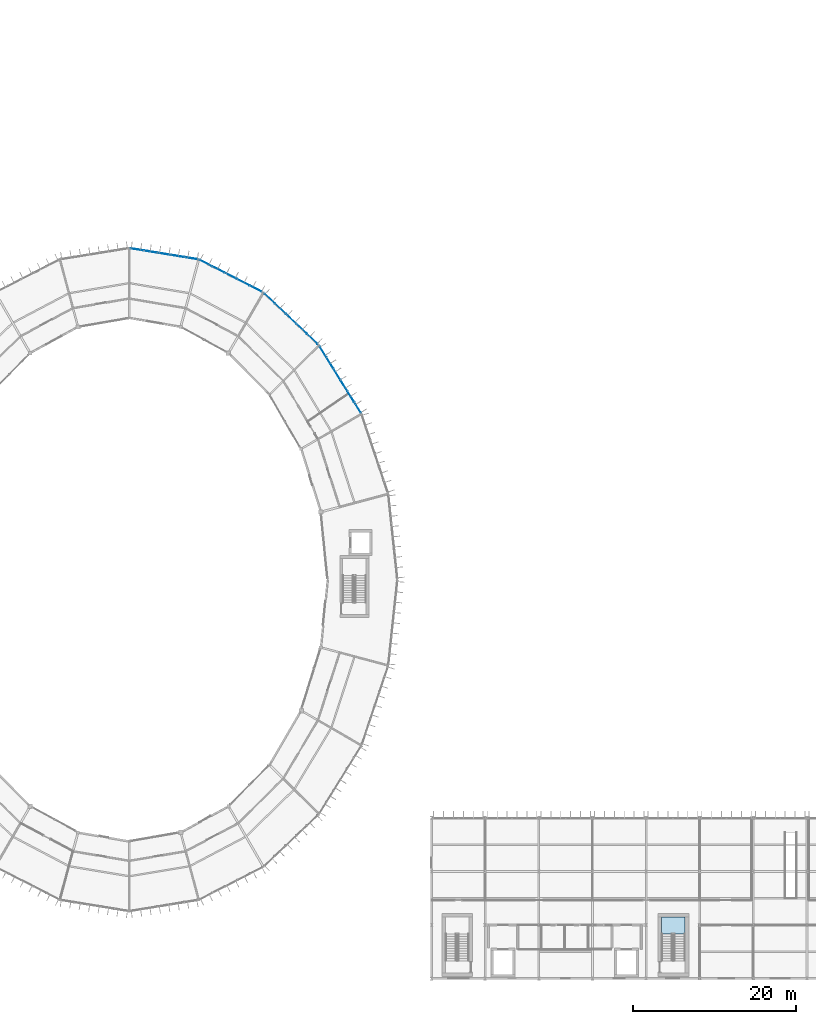
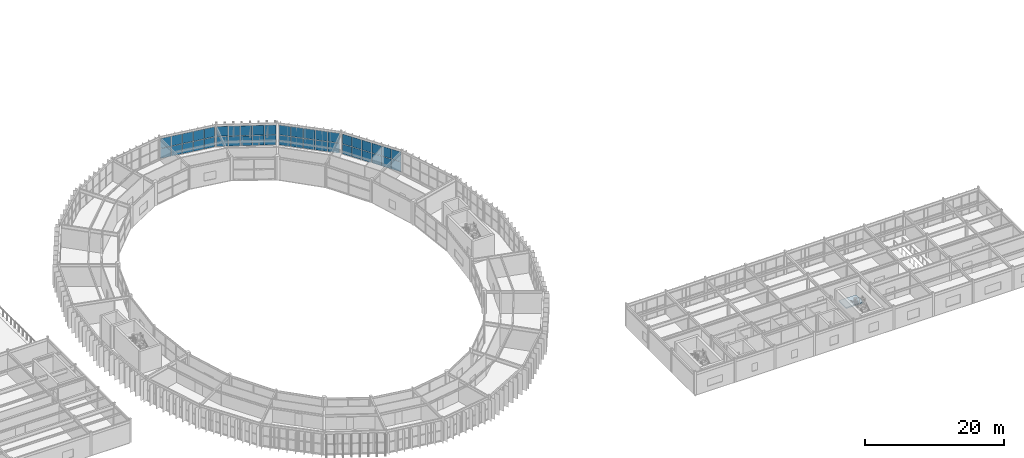
# One storey, part 95 of 130: 42 plates, 1 slab, 5 elements without a shape of their own.
"""IFC4 building model written with IfcOpenShell, lengths in metres."""

from ifc_helpers import new_model, si_unit, direction, frame, origin, origin_2d, place, context, subcontext, project, spatial, polyline, rectangle, outline, extrude, material, layer, layer_set, type_object, element, aggregate, save


model = new_model("IFC4")

# Units and contexts
model_context = context("Model", 3, precision=1e-05, world=origin(), true_north=direction((0.0, 1.0)))
body_context = subcontext(model_context, "Body", "Model", "MODEL_VIEW")
ifc_project = project(units=[si_unit("LENGTHUNIT", "METRE"), si_unit("AREAUNIT", "SQUARE_METRE"), si_unit("VOLUMEUNIT", "CUBIC_METRE"), si_unit("PLANEANGLEUNIT", "RADIAN"), si_unit("MASSUNIT", "GRAM", prefix="KILO")], contexts=[model_context])

# Site, building, storey
site_placement = place(None, origin())
site = spatial("IfcSite", under=ifc_project, at=site_placement, CompositionType="ELEMENT")
building_placement = place(site_placement, origin())
building = spatial("IfcBuilding", under=site, at=building_placement, Name="Karori Crest Natural Sciences Institute", CompositionType="ELEMENT")
storey_placement = place(building_placement, frame((0.0, 0.0, 17.5)))
storey = spatial("IfcBuildingStorey", under=building, at=storey_placement, Name="L04", CompositionType="ELEMENT", Elevation=17.5)

# Curtain wall, plates
ifc_material_1 = material(Name="Anodised architectural aluminium 6063-T6", Category="aluminium")
curtain_wall_type_1 = type_object("IfcCurtainWallType", Name="CWT-04", PredefinedType="NOTDEFINED", material=ifc_material_1)
curtain_wall_1_placement = place(storey_placement, origin())
curtain_wall_1 = element("IfcCurtainWall", 1, at=curtain_wall_1_placement, inside=storey, type_object=curtain_wall_type_1, Name="Curtain wall CW-0141", PredefinedType="NOTDEFINED")
ifc_material_2 = material(Name="Double low-E laminated glass", Category="glass")
ifc_layer_1 = layer(ifc_material_2, 0.02392578125, Name="Double low-E laminated glass")
ifc_layer_set_1 = layer_set([ifc_layer_1], Name="Double low-E laminated glass")
plate_type_1 = type_object("IfcPlateType", Name="CWP-01", PredefinedType="CURTAIN_PANEL", material=ifc_layer_set_1)
plate_1_placement = place(storey_placement, frame((83.695556640625, 84.47900390625, 0.06005859375), z_axis=(0.0, 0.0, 1.0), x_axis=(0.725471459192, -0.688252251648, 0.0)))
plate_1 = element("IfcPlate", 2, at=plate_1_placement, type_object=plate_type_1, Name="CW-0141 panel 1.1", PredefinedType="CURTAIN_PANEL", context=body_context, shape_type="SweptSolid", body=[
    extrude(rectangle(XDim=1.717041015625, YDim=0.02392578125, at=origin_2d()), origin(), (0.0, 0.0, 1.0), 1.722412109375),
])
plate_2_placement = place(storey_placement, frame((83.695556640625, 84.47900390625, 1.8427734375), z_axis=(0.0, 0.0, 1.0), x_axis=(0.725471459192, -0.688252251648, 0.0)))
plate_2 = element("IfcPlate", 3, at=plate_2_placement, type_object=plate_type_1, Name="CW-0141 panel 1.2", PredefinedType="CURTAIN_PANEL", context=body_context, shape_type="SweptSolid", body=[
    extrude(rectangle(XDim=1.717041015625, YDim=0.02392578125, at=origin_2d()), origin(), (0.0, 0.0, 1.0), 1.722412109375),
])
plate_3_placement = place(storey_placement, frame((85.000244140625, 83.2412109375, 0.06005859375), z_axis=(0.0, 0.0, 1.0), x_axis=(0.725471459192, -0.688252251648, 0.0)))
plate_3 = element("IfcPlate", 4, at=plate_3_placement, type_object=plate_type_1, Name="CW-0141 panel 2.1", PredefinedType="CURTAIN_PANEL", context=body_context, shape_type="SweptSolid", body=[
    extrude(rectangle(XDim=1.749755859375, YDim=0.02392578125, at=origin_2d()), origin(), (0.0, 0.0, 1.0), 1.722412109375),
])
plate_4_placement = place(storey_placement, frame((85.000244140625, 83.2412109375, 1.8427734375), z_axis=(0.0, 0.0, 1.0), x_axis=(0.725471459192, -0.688252251648, 0.0)))
plate_4 = element("IfcPlate", 5, at=plate_4_placement, type_object=plate_type_1, Name="CW-0141 panel 2.2", PredefinedType="CURTAIN_PANEL", context=body_context, shape_type="SweptSolid", body=[
    extrude(rectangle(XDim=1.749755859375, YDim=0.02392578125, at=origin_2d()), origin(), (0.0, 0.0, 1.0), 1.722412109375),
])
plate_5_placement = place(storey_placement, frame((86.31689453125, 81.992431640625, 0.06005859375), z_axis=(0.0, 0.0, 1.0), x_axis=(0.725471459192, -0.688252251648, 0.0)))
plate_5 = element("IfcPlate", 6, at=plate_5_placement, type_object=plate_type_1, Name="CW-0141 panel 3.1", PredefinedType="CURTAIN_PANEL", context=body_context, shape_type="SweptSolid", body=[
    extrude(rectangle(XDim=1.749755859375, YDim=0.02392578125, at=origin_2d()), origin(), (0.0, 0.0, 1.0), 1.722412109375),
])
plate_6_placement = place(storey_placement, frame((86.31689453125, 81.992431640625, 1.8427734375), z_axis=(0.0, 0.0, 1.0), x_axis=(0.725471459192, -0.688252251648, 0.0)))
plate_6 = element("IfcPlate", 7, at=plate_6_placement, type_object=plate_type_1, Name="CW-0141 panel 3.2", PredefinedType="CURTAIN_PANEL", context=body_context, shape_type="SweptSolid", body=[
    extrude(rectangle(XDim=1.749755859375, YDim=0.02392578125, at=origin_2d()), origin(), (0.0, 0.0, 1.0), 1.722412109375),
])
plate_7_placement = place(storey_placement, frame((87.63330078125, 80.743408203125, 0.06005859375), z_axis=(0.0, 0.0, 1.0), x_axis=(0.725471459192, -0.688252251648, 0.0)))
plate_7 = element("IfcPlate", 8, at=plate_7_placement, type_object=plate_type_1, Name="CW-0141 panel 4.1", PredefinedType="CURTAIN_PANEL", context=body_context, shape_type="SweptSolid", body=[
    extrude(rectangle(XDim=1.749755859375, YDim=0.02392578125, at=origin_2d()), origin(), (0.0, 0.0, 1.0), 1.722412109375),
])
plate_8_placement = place(storey_placement, frame((87.63330078125, 80.743408203125, 1.8427734375), z_axis=(0.0, 0.0, 1.0), x_axis=(0.725471459192, -0.688252251648, 0.0)))
plate_8 = element("IfcPlate", 9, at=plate_8_placement, type_object=plate_type_1, Name="CW-0141 panel 4.2", PredefinedType="CURTAIN_PANEL", context=body_context, shape_type="SweptSolid", body=[
    extrude(rectangle(XDim=1.749755859375, YDim=0.02392578125, at=origin_2d()), origin(), (0.0, 0.0, 1.0), 1.722412109375),
])
plate_9_placement = place(storey_placement, frame((88.93798828125, 79.505615234375, 0.06005859375), z_axis=(0.0, 0.0, 1.0), x_axis=(0.725471459192, -0.688252251648, 0.0)))
plate_9 = element("IfcPlate", 10, at=plate_9_placement, type_object=plate_type_1, Name="CW-0141 panel 5.1", PredefinedType="CURTAIN_PANEL", context=body_context, shape_type="SweptSolid", body=[
    extrude(rectangle(XDim=1.717041015625, YDim=0.02392578125, at=origin_2d()), origin(), (0.0, 0.0, 1.0), 1.722412109375),
])
plate_10_placement = place(storey_placement, frame((88.93798828125, 79.505615234375, 1.8427734375), z_axis=(0.0, 0.0, 1.0), x_axis=(0.725471459192, -0.688252251648, 0.0)))
plate_10 = element("IfcPlate", 11, at=plate_10_placement, type_object=plate_type_1, Name="CW-0141 panel 5.2", PredefinedType="CURTAIN_PANEL", context=body_context, shape_type="SweptSolid", body=[
    extrude(rectangle(XDim=1.717041015625, YDim=0.02392578125, at=origin_2d()), origin(), (0.0, 0.0, 1.0), 1.722412109375),
])
aggregate(curtain_wall_1, [plate_1, plate_2, plate_3, plate_4, plate_5, plate_6, plate_7, plate_8, plate_9, plate_10])

curtain_wall_type_2 = type_object("IfcCurtainWallType", Name="CWT-05", PredefinedType="NOTDEFINED", material=ifc_material_1)
curtain_wall_2_placement = place(storey_placement, origin())
curtain_wall_2 = element("IfcCurtainWall", 12, at=curtain_wall_2_placement, inside=storey, type_object=curtain_wall_type_2, Name="Curtain wall CW-0142", PredefinedType="NOTDEFINED")
ifc_layer_2 = layer(ifc_material_2, 0.033935546875, Name="Double low-E laminated glass")
ifc_layer_set_2 = layer_set([ifc_layer_2], Name="Double low-E laminated glass")
plate_type_2 = type_object("IfcPlateType", Name="CWP-02", PredefinedType="CURTAIN_PANEL", material=ifc_layer_set_2)
plate_11_placement = place(storey_placement, frame((75.806640625, 88.866455078125, 0.06494140625), z_axis=(0.0, 0.0, 1.0), x_axis=(0.890067432138, -0.455828878252, 0.0)))
plate_11 = element("IfcPlate", 13, at=plate_11_placement, type_object=plate_type_2, Name="CW-0142 panel 1.1", PredefinedType="CURTAIN_PANEL", context=body_context, shape_type="SweptSolid", body=[
    extrude(rectangle(XDim=1.645751953125, YDim=0.033935546875, at=origin_2d()), origin(), (0.0, 0.0, 1.0), 1.715087890625),
])
plate_12_placement = place(storey_placement, frame((75.806640625, 88.866455078125, 1.8447265625), z_axis=(0.0, 0.0, 1.0), x_axis=(0.890067432138, -0.455828878252, 0.0)))
plate_12 = element("IfcPlate", 14, at=plate_12_placement, type_object=plate_type_2, Name="CW-0142 panel 1.2", PredefinedType="CURTAIN_PANEL", context=body_context, shape_type="SweptSolid", body=[
    extrude(rectangle(XDim=1.645751953125, YDim=0.033935546875, at=origin_2d()), origin(), (0.0, 0.0, 1.0), 1.715087890625),
])
plate_13_placement = place(storey_placement, frame((77.34375, 88.079345703125, 0.06494140625), z_axis=(0.0, 0.0, 1.0), x_axis=(0.890067432138, -0.455828878252, 0.0)))
plate_13 = element("IfcPlate", 15, at=plate_13_placement, type_object=plate_type_2, Name="CW-0142 panel 2.1", PredefinedType="CURTAIN_PANEL", context=body_context, shape_type="SweptSolid", body=[
    extrude(rectangle(XDim=1.678466796875, YDim=0.033935546875, at=origin_2d()), origin(), (0.0, 0.0, 1.0), 1.715087890625),
])
plate_14_placement = place(storey_placement, frame((77.34375, 88.079345703125, 1.8447265625), z_axis=(0.0, 0.0, 1.0), x_axis=(0.890067432138, -0.455828878252, 0.0)))
plate_14 = element("IfcPlate", 16, at=plate_14_placement, type_object=plate_type_2, Name="CW-0142 panel 2.2", PredefinedType="CURTAIN_PANEL", context=body_context, shape_type="SweptSolid", body=[
    extrude(rectangle(XDim=1.678466796875, YDim=0.033935546875, at=origin_2d()), origin(), (0.0, 0.0, 1.0), 1.715087890625),
])
plate_15_placement = place(storey_placement, frame((78.8955078125, 87.28466796875, 0.06494140625), z_axis=(0.0, 0.0, 1.0), x_axis=(0.890067432138, -0.455828878252, 0.0)))
plate_15 = element("IfcPlate", 17, at=plate_15_placement, type_object=plate_type_2, Name="CW-0142 panel 3.1", PredefinedType="CURTAIN_PANEL", context=body_context, shape_type="SweptSolid", body=[
    extrude(rectangle(XDim=1.678466796875, YDim=0.033935546875, at=origin_2d()), origin(), (0.0, 0.0, 1.0), 1.715087890625),
])
plate_16_placement = place(storey_placement, frame((78.8955078125, 87.28466796875, 1.8447265625), z_axis=(0.0, 0.0, 1.0), x_axis=(0.890067432138, -0.455828878252, 0.0)))
plate_16 = element("IfcPlate", 18, at=plate_16_placement, type_object=plate_type_2, Name="CW-0142 panel 3.2", PredefinedType="CURTAIN_PANEL", context=body_context, shape_type="SweptSolid", body=[
    extrude(rectangle(XDim=1.678466796875, YDim=0.033935546875, at=origin_2d()), origin(), (0.0, 0.0, 1.0), 1.715087890625),
])
plate_17_placement = place(storey_placement, frame((80.447265625, 86.489990234375, 0.06494140625), z_axis=(0.0, 0.0, 1.0), x_axis=(0.890067432138, -0.455828878252, 0.0)))
plate_17 = element("IfcPlate", 19, at=plate_17_placement, type_object=plate_type_2, Name="CW-0142 panel 4.1", PredefinedType="CURTAIN_PANEL", context=body_context, shape_type="SweptSolid", body=[
    extrude(rectangle(XDim=1.678466796875, YDim=0.033935546875, at=origin_2d()), origin(), (0.0, 0.0, 1.0), 1.715087890625),
])
plate_18_placement = place(storey_placement, frame((80.447265625, 86.489990234375, 1.8447265625), z_axis=(0.0, 0.0, 1.0), x_axis=(0.890067432138, -0.455828878252, 0.0)))
plate_18 = element("IfcPlate", 20, at=plate_18_placement, type_object=plate_type_2, Name="CW-0142 panel 4.2", PredefinedType="CURTAIN_PANEL", context=body_context, shape_type="SweptSolid", body=[
    extrude(rectangle(XDim=1.678466796875, YDim=0.033935546875, at=origin_2d()), origin(), (0.0, 0.0, 1.0), 1.715087890625),
])
plate_19_placement = place(storey_placement, frame((81.984375, 85.70263671875, 0.06494140625), z_axis=(0.0, 0.0, 1.0), x_axis=(0.890067432138, -0.455828878252, 0.0)))
plate_19 = element("IfcPlate", 21, at=plate_19_placement, type_object=plate_type_2, Name="CW-0142 panel 5.1", PredefinedType="CURTAIN_PANEL", context=body_context, shape_type="SweptSolid", body=[
    extrude(rectangle(XDim=1.645751953125, YDim=0.033935546875, at=origin_2d()), origin(), (0.0, 0.0, 1.0), 1.715087890625),
])
plate_20_placement = place(storey_placement, frame((81.984375, 85.70263671875, 1.8447265625), z_axis=(0.0, 0.0, 1.0), x_axis=(0.890067432138, -0.455828878252, 0.0)))
plate_20 = element("IfcPlate", 22, at=plate_20_placement, type_object=plate_type_2, Name="CW-0142 panel 5.2", PredefinedType="CURTAIN_PANEL", context=body_context, shape_type="SweptSolid", body=[
    extrude(rectangle(XDim=1.645751953125, YDim=0.033935546875, at=origin_2d()), origin(), (0.0, 0.0, 1.0), 1.715087890625),
])
aggregate(curtain_wall_2, [plate_11, plate_12, plate_13, plate_14, plate_15, plate_16, plate_17, plate_18, plate_19, plate_20])

curtain_wall_type_3 = type_object("IfcCurtainWallType", Name="CWT-03", PredefinedType="NOTDEFINED", material=ifc_material_1)
curtain_wall_3_placement = place(storey_placement, origin())
curtain_wall_3 = element("IfcCurtainWall", 23, at=curtain_wall_3_placement, inside=storey, type_object=curtain_wall_type_3, Name="Curtain wall CW-0139", PredefinedType="NOTDEFINED")
ifc_layer_3 = layer(ifc_material_2, 0.0439453125, Name="Double low-E laminated glass")
ifc_layer_set_3 = layer_set([ifc_layer_3], Name="Double low-E laminated glass")
plate_type_3 = type_object("IfcPlateType", Name="CWP-03", PredefinedType="CURTAIN_PANEL", material=ifc_layer_set_3)
plate_21_placement = place(storey_placement, frame((90.2490234375, 77.921142578125, 0.06494140625), z_axis=(0.0, 0.0, 1.0), x_axis=(0.527327706489, -0.849661985715, 0.0)))
plate_21 = element("IfcPlate", 24, at=plate_21_placement, type_object=plate_type_3, Name="CW-0139 panel 1.1", PredefinedType="CURTAIN_PANEL", context=body_context, shape_type="SweptSolid", body=[
    extrude(rectangle(XDim=1.519287109375, YDim=0.0439453125, at=origin_2d()), origin(), (0.0, 0.0, 1.0), 1.715087890625),
])
plate_22_placement = place(storey_placement, frame((90.2490234375, 77.921142578125, 1.8447265625), z_axis=(0.0, 0.0, 1.0), x_axis=(0.527327706489, -0.849661985715, 0.0)))
plate_22 = element("IfcPlate", 25, at=plate_22_placement, type_object=plate_type_3, Name="CW-0139 panel 1.2", PredefinedType="CURTAIN_PANEL", context=body_context, shape_type="SweptSolid", body=[
    extrude(rectangle(XDim=1.519287109375, YDim=0.0439453125, at=origin_2d()), origin(), (0.0, 0.0, 1.0), 1.715087890625),
])
plate_23_placement = place(storey_placement, frame((91.093017578125, 76.56103515625, 0.06494140625), z_axis=(0.0, 0.0, 1.0), x_axis=(0.527327706489, -0.849661985715, 0.0)))
plate_23 = element("IfcPlate", 26, at=plate_23_placement, type_object=plate_type_3, Name="CW-0139 panel 2.1", PredefinedType="CURTAIN_PANEL", context=body_context, shape_type="SweptSolid", body=[
    extrude(rectangle(XDim=1.5517578125, YDim=0.0439453125, at=origin_2d()), origin(), (0.0, 0.0, 1.0), 1.715087890625),
])
plate_24_placement = place(storey_placement, frame((91.093017578125, 76.56103515625, 1.8447265625), z_axis=(0.0, 0.0, 1.0), x_axis=(0.527327706489, -0.849661985715, 0.0)))
plate_24 = element("IfcPlate", 27, at=plate_24_placement, type_object=plate_type_3, Name="CW-0139 panel 2.2", PredefinedType="CURTAIN_PANEL", context=body_context, shape_type="SweptSolid", body=[
    extrude(rectangle(XDim=1.5517578125, YDim=0.0439453125, at=origin_2d()), origin(), (0.0, 0.0, 1.0), 1.715087890625),
])
plate_25_placement = place(storey_placement, frame((91.945556640625, 75.187255859375, 0.06494140625), z_axis=(0.0, 0.0, 1.0), x_axis=(0.527327706489, -0.849661985715, 0.0)))
plate_25 = element("IfcPlate", 28, at=plate_25_placement, type_object=plate_type_3, Name="CW-0139 panel 3.1", PredefinedType="CURTAIN_PANEL", context=body_context, shape_type="SweptSolid", body=[
    extrude(rectangle(XDim=1.5517578125, YDim=0.0439453125, at=origin_2d()), origin(), (0.0, 0.0, 1.0), 1.715087890625),
])
plate_26_placement = place(storey_placement, frame((91.945556640625, 75.187255859375, 1.8447265625), z_axis=(0.0, 0.0, 1.0), x_axis=(0.527327706489, -0.849661985715, 0.0)))
plate_26 = element("IfcPlate", 29, at=plate_26_placement, type_object=plate_type_3, Name="CW-0139 panel 3.2", PredefinedType="CURTAIN_PANEL", context=body_context, shape_type="SweptSolid", body=[
    extrude(rectangle(XDim=1.5517578125, YDim=0.0439453125, at=origin_2d()), origin(), (0.0, 0.0, 1.0), 1.715087890625),
])
plate_27_placement = place(storey_placement, frame((92.798095703125, 73.813720703125, 0.06494140625), z_axis=(0.0, 0.0, 1.0), x_axis=(0.527327706489, -0.849661985715, 0.0)))
plate_27 = element("IfcPlate", 30, at=plate_27_placement, type_object=plate_type_3, Name="CW-0139 panel 4.1", PredefinedType="CURTAIN_PANEL", context=body_context, shape_type="SweptSolid", body=[
    extrude(rectangle(XDim=1.5517578125, YDim=0.0439453125, at=origin_2d()), origin(), (0.0, 0.0, 1.0), 1.715087890625),
])
plate_28_placement = place(storey_placement, frame((92.798095703125, 73.813720703125, 1.8447265625), z_axis=(0.0, 0.0, 1.0), x_axis=(0.527327706489, -0.849661985715, 0.0)))
plate_28 = element("IfcPlate", 31, at=plate_28_placement, type_object=plate_type_3, Name="CW-0139 panel 4.2", PredefinedType="CURTAIN_PANEL", context=body_context, shape_type="SweptSolid", body=[
    extrude(rectangle(XDim=1.5517578125, YDim=0.0439453125, at=origin_2d()), origin(), (0.0, 0.0, 1.0), 1.715087890625),
])
plate_29_placement = place(storey_placement, frame((93.650634765625, 72.43994140625, 0.06494140625), z_axis=(0.0, 0.0, 1.0), x_axis=(0.527327706489, -0.849661985715, 0.0)))
plate_29 = element("IfcPlate", 32, at=plate_29_placement, type_object=plate_type_3, Name="CW-0139 panel 5.1", PredefinedType="CURTAIN_PANEL", context=body_context, shape_type="SweptSolid", body=[
    extrude(rectangle(XDim=1.5517578125, YDim=0.0439453125, at=origin_2d()), origin(), (0.0, 0.0, 1.0), 1.715087890625),
])
plate_30_placement = place(storey_placement, frame((93.650634765625, 72.43994140625, 1.8447265625), z_axis=(0.0, 0.0, 1.0), x_axis=(0.527327706489, -0.849661985715, 0.0)))
plate_30 = element("IfcPlate", 33, at=plate_30_placement, type_object=plate_type_3, Name="CW-0139 panel 5.2", PredefinedType="CURTAIN_PANEL", context=body_context, shape_type="SweptSolid", body=[
    extrude(rectangle(XDim=1.5517578125, YDim=0.0439453125, at=origin_2d()), origin(), (0.0, 0.0, 1.0), 1.715087890625),
])
plate_31_placement = place(storey_placement, frame((94.49462890625, 71.080078125, 0.06494140625), z_axis=(0.0, 0.0, 1.0), x_axis=(0.527327706489, -0.849661985715, 0.0)))
plate_31 = element("IfcPlate", 34, at=plate_31_placement, type_object=plate_type_3, Name="CW-0139 panel 6.1", PredefinedType="CURTAIN_PANEL", context=body_context, shape_type="SweptSolid", body=[
    extrude(rectangle(XDim=1.519287109375, YDim=0.0439453125, at=origin_2d()), origin(), (0.0, 0.0, 1.0), 1.715087890625),
])
plate_32_placement = place(storey_placement, frame((94.49462890625, 71.080078125, 1.8447265625), z_axis=(0.0, 0.0, 1.0), x_axis=(0.527327706489, -0.849661985715, 0.0)))
plate_32 = element("IfcPlate", 35, at=plate_32_placement, type_object=plate_type_3, Name="CW-0139 panel 6.2", PredefinedType="CURTAIN_PANEL", context=body_context, shape_type="SweptSolid", body=[
    extrude(rectangle(XDim=1.519287109375, YDim=0.0439453125, at=origin_2d()), origin(), (0.0, 0.0, 1.0), 1.715087890625),
])
aggregate(curtain_wall_3, [plate_21, plate_22, plate_23, plate_24, plate_25, plate_26, plate_27, plate_28, plate_29, plate_30, plate_31, plate_32])

curtain_wall_type_4 = type_object("IfcCurtainWallType", Name="CWT-06", PredefinedType="NOTDEFINED", material=ifc_material_1)
curtain_wall_4_placement = place(storey_placement, origin())
curtain_wall_4 = element("IfcCurtainWall", 36, at=curtain_wall_4_placement, inside=storey, type_object=curtain_wall_type_4, Name="Curtain wall CW-0144", PredefinedType="NOTDEFINED")
plate_33_placement = place(storey_placement, frame((67.3759765625, 90.541259765625, 0.06005859375), z_axis=(0.0, 0.0, 1.0), x_axis=(0.987010543275, -0.160655493101, 0.0)))
plate_33 = element("IfcPlate", 37, at=plate_33_placement, type_object=plate_type_3, Name="CW-0144 panel 1.1", PredefinedType="CURTAIN_PANEL", context=body_context, shape_type="SweptSolid", body=[
    extrude(rectangle(XDim=1.592529296875, YDim=0.0439453125, at=origin_2d()), origin(), (0.0, 0.0, 1.0), 1.722412109375),
])
plate_34_placement = place(storey_placement, frame((67.3759765625, 90.541259765625, 1.8427734375), z_axis=(0.0, 0.0, 1.0), x_axis=(0.987010543275, -0.160655493101, 0.0)))
plate_34 = element("IfcPlate", 38, at=plate_34_placement, type_object=plate_type_3, Name="CW-0144 panel 1.2", PredefinedType="CURTAIN_PANEL", context=body_context, shape_type="SweptSolid", body=[
    extrude(rectangle(XDim=1.592529296875, YDim=0.0439453125, at=origin_2d()), origin(), (0.0, 0.0, 1.0), 1.722412109375),
])
plate_35_placement = place(storey_placement, frame((69.028076171875, 90.272216796875, 0.06005859375), z_axis=(0.0, 0.0, 1.0), x_axis=(0.987010543275, -0.160655493101, 0.0)))
plate_35 = element("IfcPlate", 39, at=plate_35_placement, type_object=plate_type_3, Name="CW-0144 panel 2.1", PredefinedType="CURTAIN_PANEL", context=body_context, shape_type="SweptSolid", body=[
    extrude(rectangle(XDim=1.625, YDim=0.0439453125, at=origin_2d()), origin(), (0.0, 0.0, 1.0), 1.722412109375),
])
plate_36_placement = place(storey_placement, frame((69.028076171875, 90.272216796875, 1.8427734375), z_axis=(0.0, 0.0, 1.0), x_axis=(0.987010543275, -0.160655493101, 0.0)))
plate_36 = element("IfcPlate", 40, at=plate_36_placement, type_object=plate_type_3, Name="CW-0144 panel 2.2", PredefinedType="CURTAIN_PANEL", context=body_context, shape_type="SweptSolid", body=[
    extrude(rectangle(XDim=1.625, YDim=0.0439453125, at=origin_2d()), origin(), (0.0, 0.0, 1.0), 1.722412109375),
])
plate_37_placement = place(storey_placement, frame((70.696044921875, 90.000732421875, 0.06005859375), z_axis=(0.0, 0.0, 1.0), x_axis=(0.987010543275, -0.160655493101, 0.0)))
plate_37 = element("IfcPlate", 41, at=plate_37_placement, type_object=plate_type_3, Name="CW-0144 panel 3.1", PredefinedType="CURTAIN_PANEL", context=body_context, shape_type="SweptSolid", body=[
    extrude(rectangle(XDim=1.625, YDim=0.0439453125, at=origin_2d()), origin(), (0.0, 0.0, 1.0), 1.722412109375),
])
plate_38_placement = place(storey_placement, frame((70.696044921875, 90.000732421875, 1.8427734375), z_axis=(0.0, 0.0, 1.0), x_axis=(0.987010543275, -0.160655493101, 0.0)))
plate_38 = element("IfcPlate", 42, at=plate_38_placement, type_object=plate_type_3, Name="CW-0144 panel 3.2", PredefinedType="CURTAIN_PANEL", context=body_context, shape_type="SweptSolid", body=[
    extrude(rectangle(XDim=1.625, YDim=0.0439453125, at=origin_2d()), origin(), (0.0, 0.0, 1.0), 1.722412109375),
])
plate_39_placement = place(storey_placement, frame((72.364013671875, 89.729248046875, 0.06005859375), z_axis=(0.0, 0.0, 1.0), x_axis=(0.987010543275, -0.160655493101, 0.0)))
plate_39 = element("IfcPlate", 43, at=plate_39_placement, type_object=plate_type_3, Name="CW-0144 panel 4.1", PredefinedType="CURTAIN_PANEL", context=body_context, shape_type="SweptSolid", body=[
    extrude(rectangle(XDim=1.625, YDim=0.0439453125, at=origin_2d()), origin(), (0.0, 0.0, 1.0), 1.722412109375),
])
plate_40_placement = place(storey_placement, frame((72.364013671875, 89.729248046875, 1.8427734375), z_axis=(0.0, 0.0, 1.0), x_axis=(0.987010543275, -0.160655493101, 0.0)))
plate_40 = element("IfcPlate", 44, at=plate_40_placement, type_object=plate_type_3, Name="CW-0144 panel 4.2", PredefinedType="CURTAIN_PANEL", context=body_context, shape_type="SweptSolid", body=[
    extrude(rectangle(XDim=1.625, YDim=0.0439453125, at=origin_2d()), origin(), (0.0, 0.0, 1.0), 1.722412109375),
])
plate_41_placement = place(storey_placement, frame((74.015869140625, 89.46044921875, 0.06005859375), z_axis=(0.0, 0.0, 1.0), x_axis=(0.987010543275, -0.160655493101, 0.0)))
plate_41 = element("IfcPlate", 45, at=plate_41_placement, type_object=plate_type_3, Name="CW-0144 panel 5.1", PredefinedType="CURTAIN_PANEL", context=body_context, shape_type="SweptSolid", body=[
    extrude(rectangle(XDim=1.592529296875, YDim=0.0439453125, at=origin_2d()), origin(), (0.0, 0.0, 1.0), 1.722412109375),
])
plate_42_placement = place(storey_placement, frame((74.015869140625, 89.46044921875, 1.8427734375), z_axis=(0.0, 0.0, 1.0), x_axis=(0.987010543275, -0.160655493101, 0.0)))
plate_42 = element("IfcPlate", 46, at=plate_42_placement, type_object=plate_type_3, Name="CW-0144 panel 5.2", PredefinedType="CURTAIN_PANEL", context=body_context, shape_type="SweptSolid", body=[
    extrude(rectangle(XDim=1.592529296875, YDim=0.0439453125, at=origin_2d()), origin(), (0.0, 0.0, 1.0), 1.722412109375),
])
aggregate(curtain_wall_4, [plate_33, plate_34, plate_35, plate_36, plate_37, plate_38, plate_39, plate_40, plate_41, plate_42])

# Stair, slab
ifc_material_3 = material(Name="Concrete 40 MPa", Category="concrete")
stair_type = type_object("IfcStairType", Name="STT-01", PredefinedType="HALF_TURN_STAIR", material=ifc_material_3)
stair_placement = place(storey_placement, origin())
stair = element("IfcStair", 47, at=stair_placement, inside=storey, type_object=stair_type, Name="Protected stair ST-04-L04", PredefinedType="HALF_TURN_STAIR")
ifc_layer_4 = layer(ifc_material_3, 0.2099609375, Name="Concrete 40 MPa")
ifc_layer_set_4 = layer_set([ifc_layer_4], Name="Concrete 40 MPa")
slab_type = type_object("IfcSlabType", Name="SLT-11", PredefinedType="LANDING", material=ifc_layer_set_4)
slab_placement = place(storey_placement, frame((0.0, 0.0, 1.889892578125)))
slab = element("IfcSlab", 48, at=slab_placement, type_object=slab_type, Name="ST-04-L04 landing 1", PredefinedType="LANDING", context=body_context, shape_type="SweptSolid", body=[
    extrude(outline(polyline([(134.800048828125, 6.300048828125), (134.800048828125, 8.39990234375), (131.89990234375, 8.39990234375), (131.89990234375, 6.300048828125), (134.800048828125, 6.300048828125)])), origin(), (0.0, 0.0, 1.0), 0.210205078125),
])
aggregate(stair, [slab])

save(model, "model.ifc")
